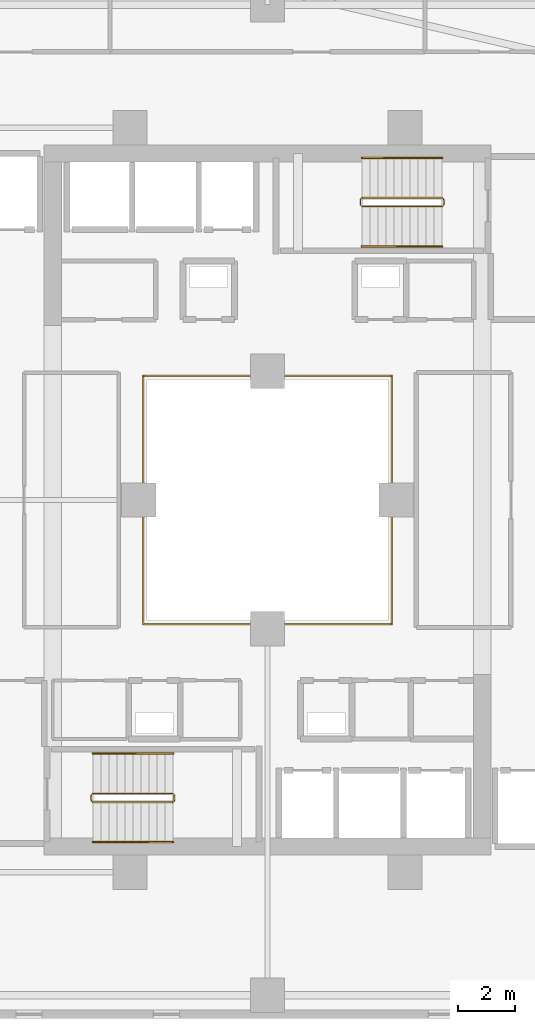
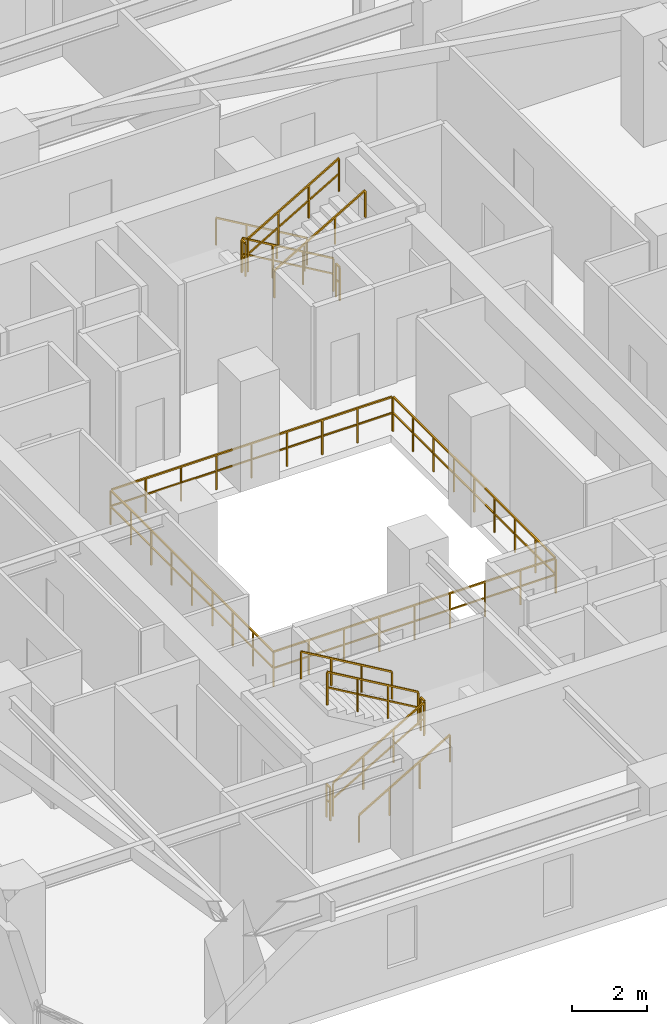
# One storey, part 28 of 31: 13 railings.
"""IFC4 building model written with IfcOpenShell, lengths in metres."""

from ifc_helpers import new_model, si_unit, direction, frame, origin, origin_2d, place, context, subcontext, project, spatial, rectangle, extrude, material, type_object, element, save


model = new_model("IFC4")

# Units and contexts
model_context = context("Model", 3, precision=1e-05, world=origin(), true_north=direction((0.0, 1.0)))
body_context = subcontext(model_context, "Body", "Model", "MODEL_VIEW")
ifc_project = project(units=[si_unit("LENGTHUNIT", "METRE"), si_unit("AREAUNIT", "SQUARE_METRE"), si_unit("VOLUMEUNIT", "CUBIC_METRE"), si_unit("PLANEANGLEUNIT", "RADIAN"), si_unit("MASSUNIT", "GRAM", prefix="KILO")], contexts=[model_context])

# Site, building, storey
site_placement = place(None, origin())
site = spatial("IfcSite", under=ifc_project, at=site_placement, CompositionType="ELEMENT")
building_placement = place(site_placement, origin())
building = spatial("IfcBuilding", under=site, at=building_placement, Name="Thornwick Lancets Civic Towers", CompositionType="ELEMENT")
storey_placement = place(building_placement, frame((0.0, 0.0, 87.300048828125)))
storey = spatial("IfcBuildingStorey", under=building, at=storey_placement, Name="L22", CompositionType="ELEMENT", Elevation=87.300048828125)

# Railings
ifc_material_1 = material(Name="Laminated glass and bronze steel S355", Category="steel")
railing_type_1 = type_object("IfcRailingType", Name="RAIL_ATRIUM_GUARD", PredefinedType="BALUSTRADE", material=ifc_material_1)
railing_1_placement = place(storey_placement, frame((21.159912109375, 22.659912109375, 0.0)))
element("IfcRailing", 1, at=railing_1_placement, inside=storey, type_object=railing_type_1, Name="L22 Tower A Central Atrium Guard Balustrade", PredefinedType="BALUSTRADE", context=body_context, shape_type="SweptSolid", body=[
    extrude(rectangle(XDim=0.048095703125, YDim=0.048095703125, at=origin_2d()), frame((0.0, 0.0, 1.1259765625), z_axis=(1.0, 0.0, 0.0), x_axis=(0.0, 1.0, 0.0)), (0.0, 0.0, 1.0), 8.64892578125),
    extrude(rectangle(XDim=0.0419921875, YDim=0.0419921875, at=origin_2d()), frame((0.03759765625, 0.0, 0.597900390625), z_axis=(1.0, 0.0, 0.0), x_axis=(0.0, 1.0, 0.0)), (0.0, 0.0, 1.0), 1.010009765625),
    extrude(rectangle(XDim=0.0419921875, YDim=0.0419921875, at=origin_2d()), frame((1.12255859375, 0.0, 0.597900390625), z_axis=(1.0, 0.0, 0.0), x_axis=(0.0, 1.0, 0.0)), (0.0, 0.0, 1.0), 1.010009765625),
    extrude(rectangle(XDim=0.0419921875, YDim=0.0419921875, at=origin_2d()), frame((2.20751953125, 0.0, 0.597900390625), z_axis=(1.0, 0.0, 0.0), x_axis=(0.0, 1.0, 0.0)), (0.0, 0.0, 1.0), 1.010009765625),
    extrude(rectangle(XDim=0.0419921875, YDim=0.0419921875, at=origin_2d()), frame((3.29248046875, 0.0, 0.597900390625), z_axis=(1.0, 0.0, 0.0), x_axis=(0.0, 1.0, 0.0)), (0.0, 0.0, 1.0), 1.010009765625),
    extrude(rectangle(XDim=0.0419921875, YDim=0.0419921875, at=origin_2d()), frame((4.377685546875, 0.0, 0.597900390625), z_axis=(1.0, 0.0, 0.0), x_axis=(0.0, 1.0, 0.0)), (0.0, 0.0, 1.0), 1.010009765625),
    extrude(rectangle(XDim=0.0419921875, YDim=0.0419921875, at=origin_2d()), frame((5.462646484375, 0.0, 0.597900390625), z_axis=(1.0, 0.0, 0.0), x_axis=(0.0, 1.0, 0.0)), (0.0, 0.0, 1.0), 1.010009765625),
    extrude(rectangle(XDim=0.0419921875, YDim=0.0419921875, at=origin_2d()), frame((6.547607421875, 0.0, 0.597900390625), z_axis=(1.0, 0.0, 0.0), x_axis=(0.0, 1.0, 0.0)), (0.0, 0.0, 1.0), 1.010009765625),
    extrude(rectangle(XDim=0.0419921875, YDim=0.0419921875, at=origin_2d()), frame((7.632568359375, 0.0, 0.597900390625), z_axis=(1.0, 0.0, 0.0), x_axis=(0.0, 1.0, 0.0)), (0.0, 0.0, 1.0), 1.010009765625),
    extrude(rectangle(XDim=0.048095703125, YDim=0.048095703125, at=origin_2d()), frame((8.68017578125, 0.03125, 1.1259765625), z_axis=(0.0, 1.0, 0.0), x_axis=(-1.0, 0.0, 0.0)), (0.0, 0.0, 1.0), 8.61767578125),
    extrude(rectangle(XDim=0.0419921875, YDim=0.0419921875, at=origin_2d()), frame((8.68017578125, 0.03759765625, 0.597900390625), z_axis=(0.0, 1.0, 0.0), x_axis=(-1.0, 0.0, 0.0)), (0.0, 0.0, 1.0), 1.010009765625),
    extrude(rectangle(XDim=0.0419921875, YDim=0.0419921875, at=origin_2d()), frame((8.68017578125, 1.12255859375, 0.597900390625), z_axis=(0.0, 1.0, 0.0), x_axis=(-1.0, 0.0, 0.0)), (0.0, 0.0, 1.0), 1.010009765625),
    extrude(rectangle(XDim=0.0419921875, YDim=0.0419921875, at=origin_2d()), frame((8.68017578125, 2.20751953125, 0.597900390625), z_axis=(0.0, 1.0, 0.0), x_axis=(-1.0, 0.0, 0.0)), (0.0, 0.0, 1.0), 1.010009765625),
    extrude(rectangle(XDim=0.0419921875, YDim=0.0419921875, at=origin_2d()), frame((8.68017578125, 3.29248046875, 0.597900390625), z_axis=(0.0, 1.0, 0.0), x_axis=(-1.0, 0.0, 0.0)), (0.0, 0.0, 1.0), 1.010009765625),
    extrude(rectangle(XDim=0.0419921875, YDim=0.0419921875, at=origin_2d()), frame((8.68017578125, 4.377685546875, 0.597900390625), z_axis=(0.0, 1.0, 0.0), x_axis=(-1.0, 0.0, 0.0)), (0.0, 0.0, 1.0), 1.010009765625),
    extrude(rectangle(XDim=0.0419921875, YDim=0.0419921875, at=origin_2d()), frame((8.68017578125, 5.462646484375, 0.597900390625), z_axis=(0.0, 1.0, 0.0), x_axis=(-1.0, 0.0, 0.0)), (0.0, 0.0, 1.0), 1.010009765625),
    extrude(rectangle(XDim=0.0419921875, YDim=0.0419921875, at=origin_2d()), frame((8.68017578125, 6.547607421875, 0.597900390625), z_axis=(0.0, 1.0, 0.0), x_axis=(-1.0, 0.0, 0.0)), (0.0, 0.0, 1.0), 1.010009765625),
    extrude(rectangle(XDim=0.0419921875, YDim=0.0419921875, at=origin_2d()), frame((8.68017578125, 7.632568359375, 0.597900390625), z_axis=(0.0, 1.0, 0.0), x_axis=(-1.0, 0.0, 0.0)), (0.0, 0.0, 1.0), 1.010009765625),
    extrude(rectangle(XDim=0.048095703125, YDim=0.048095703125, at=origin_2d()), frame((8.64892578125, 8.68017578125, 1.1259765625), z_axis=(-1.0, 0.0, 0.0), x_axis=(0.0, -1.0, 0.0)), (0.0, 0.0, 1.0), 8.61767578125),
    extrude(rectangle(XDim=0.0419921875, YDim=0.0419921875, at=origin_2d()), frame((8.642578125, 8.68017578125, 0.597900390625), z_axis=(-1.0, 0.0, 0.0), x_axis=(0.0, -1.0, 0.0)), (0.0, 0.0, 1.0), 1.010009765625),
    extrude(rectangle(XDim=0.0419921875, YDim=0.0419921875, at=origin_2d()), frame((7.5576171875, 8.68017578125, 0.597900390625), z_axis=(-1.0, 0.0, 0.0), x_axis=(0.0, -1.0, 0.0)), (0.0, 0.0, 1.0), 1.010009765625),
    extrude(rectangle(XDim=0.0419921875, YDim=0.0419921875, at=origin_2d()), frame((6.47265625, 8.68017578125, 0.597900390625), z_axis=(-1.0, 0.0, 0.0), x_axis=(0.0, -1.0, 0.0)), (0.0, 0.0, 1.0), 1.010009765625),
    extrude(rectangle(XDim=0.0419921875, YDim=0.0419921875, at=origin_2d()), frame((5.3876953125, 8.68017578125, 0.597900390625), z_axis=(-1.0, 0.0, 0.0), x_axis=(0.0, -1.0, 0.0)), (0.0, 0.0, 1.0), 1.010009765625),
    extrude(rectangle(XDim=0.0419921875, YDim=0.0419921875, at=origin_2d()), frame((4.302490234375, 8.68017578125, 0.597900390625), z_axis=(-1.0, 0.0, 0.0), x_axis=(0.0, -1.0, 0.0)), (0.0, 0.0, 1.0), 1.010009765625),
    extrude(rectangle(XDim=0.0419921875, YDim=0.0419921875, at=origin_2d()), frame((3.217529296875, 8.68017578125, 0.597900390625), z_axis=(-1.0, 0.0, 0.0), x_axis=(0.0, -1.0, 0.0)), (0.0, 0.0, 1.0), 1.010009765625),
    extrude(rectangle(XDim=0.0419921875, YDim=0.0419921875, at=origin_2d()), frame((2.132568359375, 8.68017578125, 0.597900390625), z_axis=(-1.0, 0.0, 0.0), x_axis=(0.0, -1.0, 0.0)), (0.0, 0.0, 1.0), 1.010009765625),
    extrude(rectangle(XDim=0.0419921875, YDim=0.0419921875, at=origin_2d()), frame((1.047607421875, 8.68017578125, 0.597900390625), z_axis=(-1.0, 0.0, 0.0), x_axis=(0.0, -1.0, 0.0)), (0.0, 0.0, 1.0), 1.010009765625),
    extrude(rectangle(XDim=0.048095703125, YDim=0.048095703125, at=origin_2d()), frame((0.0, 8.64892578125, 1.1259765625), z_axis=(0.0, -1.0, 0.0), x_axis=(1.0, 0.0, 0.0)), (0.0, 0.0, 1.0), 8.64892578125),
    extrude(rectangle(XDim=0.0419921875, YDim=0.0419921875, at=origin_2d()), frame((0.0, 8.642578125, 0.597900390625), z_axis=(0.0, -1.0, 0.0), x_axis=(1.0, 0.0, 0.0)), (0.0, 0.0, 1.0), 1.010009765625),
    extrude(rectangle(XDim=0.0419921875, YDim=0.0419921875, at=origin_2d()), frame((0.0, 7.5576171875, 0.597900390625), z_axis=(0.0, -1.0, 0.0), x_axis=(1.0, 0.0, 0.0)), (0.0, 0.0, 1.0), 1.010009765625),
    extrude(rectangle(XDim=0.0419921875, YDim=0.0419921875, at=origin_2d()), frame((0.0, 6.47265625, 0.597900390625), z_axis=(0.0, -1.0, 0.0), x_axis=(1.0, 0.0, 0.0)), (0.0, 0.0, 1.0), 1.010009765625),
    extrude(rectangle(XDim=0.0419921875, YDim=0.0419921875, at=origin_2d()), frame((0.0, 5.3876953125, 0.597900390625), z_axis=(0.0, -1.0, 0.0), x_axis=(1.0, 0.0, 0.0)), (0.0, 0.0, 1.0), 1.010009765625),
    extrude(rectangle(XDim=0.0419921875, YDim=0.0419921875, at=origin_2d()), frame((0.0, 4.302490234375, 0.597900390625), z_axis=(0.0, -1.0, 0.0), x_axis=(1.0, 0.0, 0.0)), (0.0, 0.0, 1.0), 1.010009765625),
    extrude(rectangle(XDim=0.0419921875, YDim=0.0419921875, at=origin_2d()), frame((0.0, 3.217529296875, 0.597900390625), z_axis=(0.0, -1.0, 0.0), x_axis=(1.0, 0.0, 0.0)), (0.0, 0.0, 1.0), 1.010009765625),
    extrude(rectangle(XDim=0.0419921875, YDim=0.0419921875, at=origin_2d()), frame((0.0, 2.132568359375, 0.597900390625), z_axis=(0.0, -1.0, 0.0), x_axis=(1.0, 0.0, 0.0)), (0.0, 0.0, 1.0), 1.010009765625),
    extrude(rectangle(XDim=0.0419921875, YDim=0.0419921875, at=origin_2d()), frame((0.0, 1.047607421875, 0.597900390625), z_axis=(0.0, -1.0, 0.0), x_axis=(1.0, 0.0, 0.0)), (0.0, 0.0, 1.0), 1.010009765625),
    extrude(rectangle(XDim=0.0419921875, YDim=0.0419921875, at=origin_2d()), origin(), (0.0, 0.0, 1.0), 1.095703125),
    extrude(rectangle(XDim=0.0419921875, YDim=0.0419921875, at=origin_2d()), frame((1.0849609375, 0.0, 0.0)), (0.0, 0.0, 1.0), 1.095703125),
    extrude(rectangle(XDim=0.0419921875, YDim=0.0419921875, at=origin_2d()), frame((2.169921875, 0.0, 0.0)), (0.0, 0.0, 1.0), 1.095703125),
    extrude(rectangle(XDim=0.0419921875, YDim=0.0419921875, at=origin_2d()), frame((3.255126953125, 0.0, 0.0)), (0.0, 0.0, 1.0), 1.095703125),
    extrude(rectangle(XDim=0.0419921875, YDim=0.0419921875, at=origin_2d()), frame((4.340087890625, 0.0, 0.0)), (0.0, 0.0, 1.0), 1.095703125),
    extrude(rectangle(XDim=0.0419921875, YDim=0.0419921875, at=origin_2d()), frame((5.425048828125, 0.0, 0.0)), (0.0, 0.0, 1.0), 1.095703125),
    extrude(rectangle(XDim=0.0419921875, YDim=0.0419921875, at=origin_2d()), frame((6.51025390625, 0.0, 0.0)), (0.0, 0.0, 1.0), 1.095703125),
    extrude(rectangle(XDim=0.0419921875, YDim=0.0419921875, at=origin_2d()), frame((7.59521484375, 0.0, 0.0)), (0.0, 0.0, 1.0), 1.095703125),
    extrude(rectangle(XDim=0.0419921875, YDim=0.0419921875, at=origin_2d()), frame((8.68017578125, 0.0, 0.0)), (0.0, 0.0, 1.0), 1.095703125),
    extrude(rectangle(XDim=0.0419921875, YDim=0.0419921875, at=origin_2d()), frame((8.68017578125, 1.0849609375, 0.0)), (0.0, 0.0, 1.0), 1.095703125),
    extrude(rectangle(XDim=0.0419921875, YDim=0.0419921875, at=origin_2d()), frame((8.68017578125, 2.169921875, 0.0)), (0.0, 0.0, 1.0), 1.095703125),
    extrude(rectangle(XDim=0.0419921875, YDim=0.0419921875, at=origin_2d()), frame((8.68017578125, 3.255126953125, 0.0)), (0.0, 0.0, 1.0), 1.095703125),
    extrude(rectangle(XDim=0.0419921875, YDim=0.0419921875, at=origin_2d()), frame((8.68017578125, 4.340087890625, 0.0)), (0.0, 0.0, 1.0), 1.095703125),
    extrude(rectangle(XDim=0.0419921875, YDim=0.0419921875, at=origin_2d()), frame((8.68017578125, 5.425048828125, 0.0)), (0.0, 0.0, 1.0), 1.095703125),
    extrude(rectangle(XDim=0.0419921875, YDim=0.0419921875, at=origin_2d()), frame((8.68017578125, 6.51025390625, 0.0)), (0.0, 0.0, 1.0), 1.095703125),
    extrude(rectangle(XDim=0.0419921875, YDim=0.0419921875, at=origin_2d()), frame((8.68017578125, 7.59521484375, 0.0)), (0.0, 0.0, 1.0), 1.095703125),
    extrude(rectangle(XDim=0.0419921875, YDim=0.0419921875, at=origin_2d()), frame((8.68017578125, 8.68017578125, 0.0)), (0.0, 0.0, 1.0), 1.095703125),
    extrude(rectangle(XDim=0.0419921875, YDim=0.0419921875, at=origin_2d()), frame((7.59521484375, 8.68017578125, 0.0)), (0.0, 0.0, 1.0), 1.095703125),
    extrude(rectangle(XDim=0.0419921875, YDim=0.0419921875, at=origin_2d()), frame((6.51025390625, 8.68017578125, 0.0)), (0.0, 0.0, 1.0), 1.095703125),
    extrude(rectangle(XDim=0.0419921875, YDim=0.0419921875, at=origin_2d()), frame((5.425048828125, 8.68017578125, 0.0)), (0.0, 0.0, 1.0), 1.095703125),
    extrude(rectangle(XDim=0.0419921875, YDim=0.0419921875, at=origin_2d()), frame((4.340087890625, 8.68017578125, 0.0)), (0.0, 0.0, 1.0), 1.095703125),
    extrude(rectangle(XDim=0.0419921875, YDim=0.0419921875, at=origin_2d()), frame((3.255126953125, 8.68017578125, 0.0)), (0.0, 0.0, 1.0), 1.095703125),
    extrude(rectangle(XDim=0.0419921875, YDim=0.0419921875, at=origin_2d()), frame((2.169921875, 8.68017578125, 0.0)), (0.0, 0.0, 1.0), 1.095703125),
    extrude(rectangle(XDim=0.0419921875, YDim=0.0419921875, at=origin_2d()), frame((1.0849609375, 8.68017578125, 0.0)), (0.0, 0.0, 1.0), 1.095703125),
    extrude(rectangle(XDim=0.0419921875, YDim=0.0419921875, at=origin_2d()), frame((0.0, 8.68017578125, 0.0)), (0.0, 0.0, 1.0), 1.095703125),
    extrude(rectangle(XDim=0.0419921875, YDim=0.0419921875, at=origin_2d()), frame((0.0, 7.59521484375, 0.0)), (0.0, 0.0, 1.0), 1.095703125),
    extrude(rectangle(XDim=0.0419921875, YDim=0.0419921875, at=origin_2d()), frame((0.0, 6.51025390625, 0.0)), (0.0, 0.0, 1.0), 1.095703125),
    extrude(rectangle(XDim=0.0419921875, YDim=0.0419921875, at=origin_2d()), frame((0.0, 5.425048828125, 0.0)), (0.0, 0.0, 1.0), 1.095703125),
    extrude(rectangle(XDim=0.0419921875, YDim=0.0419921875, at=origin_2d()), frame((0.0, 4.340087890625, 0.0)), (0.0, 0.0, 1.0), 1.095703125),
    extrude(rectangle(XDim=0.0419921875, YDim=0.0419921875, at=origin_2d()), frame((0.0, 3.255126953125, 0.0)), (0.0, 0.0, 1.0), 1.095703125),
    extrude(rectangle(XDim=0.0419921875, YDim=0.0419921875, at=origin_2d()), frame((0.0, 2.169921875, 0.0)), (0.0, 0.0, 1.0), 1.095703125),
    extrude(rectangle(XDim=0.0419921875, YDim=0.0419921875, at=origin_2d()), frame((0.0, 1.0849609375, 0.0)), (0.0, 0.0, 1.0), 1.095703125),
])
ifc_material_2 = material(Name="Brushed stainless steel S355", Category="steel")
railing_type_2 = type_object("IfcRailingType", Name="RAIL_HANDRAIL", PredefinedType="HANDRAIL", material=ifc_material_2)
railing_2_placement = place(storey_placement, frame((19.39990234375, 15.050048828125, 0.16357421875)))
element("IfcRailing", 2, at=railing_2_placement, inside=storey, type_object=railing_type_2, Name="L22 ST-A1 stair handrail 1", PredefinedType="HANDRAIL", context=body_context, shape_type="SweptSolid", body=[
    extrude(rectangle(XDim=0.048095703125, YDim=0.048095703125, at=origin_2d()), frame((0.0, 0.0, 0.8857421875), z_axis=(0.863360870873, 0.0, 0.504586966384), x_axis=(0.0, 1.0, 0.0)), (0.0, 0.0, 1.0), 3.2431640625),
    extrude(rectangle(XDim=0.0419921875, YDim=0.0419921875, at=origin_2d()), origin(), (0.0, 0.0, 1.0), 0.855712890625),
    extrude(rectangle(XDim=0.0419921875, YDim=0.0419921875, at=origin_2d()), frame((0.933349609375, 0.0, 0.54541015625)), (0.0, 0.0, 1.0), 0.855712890625),
    extrude(rectangle(XDim=0.0419921875, YDim=0.0419921875, at=origin_2d()), frame((1.86669921875, 0.0, 1.091064453125)), (0.0, 0.0, 1.0), 0.855712890625),
    extrude(rectangle(XDim=0.0419921875, YDim=0.0419921875, at=origin_2d()), frame((2.800048828125, 0.0, 1.636474609375)), (0.0, 0.0, 1.0), 0.855712890625),
])
railing_3_placement = place(storey_placement, frame((22.199951171875, 18.14990234375, 1.963623046875)))
element("IfcRailing", 3, at=railing_3_placement, inside=storey, type_object=railing_type_2, Name="L22 ST-A1 stair handrail 2", PredefinedType="HANDRAIL", context=body_context, shape_type="SweptSolid", body=[
    extrude(rectangle(XDim=0.048095703125, YDim=0.048095703125, at=origin_2d()), frame((0.0, 0.0, 0.8857421875), z_axis=(-0.863393664356, 0.0, 0.504530851732), x_axis=(0.0, -1.0, 0.0)), (0.0, 0.0, 1.0), 3.2431640625),
    extrude(rectangle(XDim=0.0419921875, YDim=0.0419921875, at=origin_2d()), origin(), (0.0, 0.0, 1.0), 0.855712890625),
    extrude(rectangle(XDim=0.0419921875, YDim=0.0419921875, at=origin_2d()), frame((-0.933349609375, 0.0, 0.54541015625)), (0.0, 0.0, 1.0), 0.855712890625),
    extrude(rectangle(XDim=0.0419921875, YDim=0.0419921875, at=origin_2d()), frame((-1.86669921875, 0.0, 1.0908203125)), (0.0, 0.0, 1.0), 0.855712890625),
    extrude(rectangle(XDim=0.0419921875, YDim=0.0419921875, at=origin_2d()), frame((-2.800048828125, 0.0, 1.63623046875)), (0.0, 0.0, 1.0), 0.855712890625),
])
railing_4_placement = place(storey_placement, frame((31.60009765625, 38.949951171875, 0.16357421875)))
element("IfcRailing", 4, at=railing_4_placement, inside=storey, type_object=railing_type_2, Name="L22 ST-A2 stair handrail 1", PredefinedType="HANDRAIL", context=body_context, shape_type="SweptSolid", body=[
    extrude(rectangle(XDim=0.048095703125, YDim=0.048095703125, at=origin_2d()), frame((0.0, 0.0, 0.8857421875), z_axis=(-0.863360870873, 0.0, 0.504586966384), x_axis=(0.0, -1.0, 0.0)), (0.0, 0.0, 1.0), 3.2431640625),
    extrude(rectangle(XDim=0.0419921875, YDim=0.0419921875, at=origin_2d()), origin(), (0.0, 0.0, 1.0), 0.855712890625),
    extrude(rectangle(XDim=0.0419921875, YDim=0.0419921875, at=origin_2d()), frame((-0.933349609375, 0.0, 0.54541015625)), (0.0, 0.0, 1.0), 0.855712890625),
    extrude(rectangle(XDim=0.0419921875, YDim=0.0419921875, at=origin_2d()), frame((-1.86669921875, 0.0, 1.091064453125)), (0.0, 0.0, 1.0), 0.855712890625),
    extrude(rectangle(XDim=0.0419921875, YDim=0.0419921875, at=origin_2d()), frame((-2.800048828125, 0.0, 1.636474609375)), (0.0, 0.0, 1.0), 0.855712890625),
])
railing_5_placement = place(storey_placement, frame((28.800048828125, 35.85009765625, 1.963623046875)))
element("IfcRailing", 5, at=railing_5_placement, inside=storey, type_object=railing_type_2, Name="L22 ST-A2 stair handrail 2", PredefinedType="HANDRAIL", context=body_context, shape_type="SweptSolid", body=[
    extrude(rectangle(XDim=0.048095703125, YDim=0.048095703125, at=origin_2d()), frame((0.0, 0.0, 0.8857421875), z_axis=(0.863393664356, 0.0, 0.504530851732), x_axis=(0.0, 1.0, 0.0)), (0.0, 0.0, 1.0), 3.2431640625),
    extrude(rectangle(XDim=0.0419921875, YDim=0.0419921875, at=origin_2d()), origin(), (0.0, 0.0, 1.0), 0.855712890625),
    extrude(rectangle(XDim=0.0419921875, YDim=0.0419921875, at=origin_2d()), frame((0.933349609375, 0.0, 0.54541015625)), (0.0, 0.0, 1.0), 0.855712890625),
    extrude(rectangle(XDim=0.0419921875, YDim=0.0419921875, at=origin_2d()), frame((1.86669921875, 0.0, 1.0908203125)), (0.0, 0.0, 1.0), 0.855712890625),
    extrude(rectangle(XDim=0.0419921875, YDim=0.0419921875, at=origin_2d()), frame((2.800048828125, 0.0, 1.63623046875)), (0.0, 0.0, 1.0), 0.855712890625),
])
ifc_material_3 = material(Name="Steel S355JR", Category="steel")
railing_type_3 = type_object("IfcRailingType", Name="RAIL_STAIR_GUARD", PredefinedType="GUARDRAIL", material=ifc_material_3)
railing_6_placement = place(storey_placement, frame((19.39990234375, 16.449951171875, 0.16357421875)))
element("IfcRailing", 6, at=railing_6_placement, inside=storey, type_object=railing_type_3, Name="L22 ST-A1 stair guard 1", PredefinedType="GUARDRAIL", context=body_context, shape_type="SweptSolid", body=[
    extrude(rectangle(XDim=0.048095703125, YDim=0.048095703125, at=origin_2d()), frame((0.0, 0.0, 1.076171875), z_axis=(0.863360870873, 0.0, 0.504586966384), x_axis=(0.0, 1.0, 0.0)), (0.0, 0.0, 1.0), 3.2431640625),
    extrude(rectangle(XDim=0.0419921875, YDim=0.0419921875, at=origin_2d()), frame((0.032470703125, 0.0, 0.591064453125), z_axis=(0.863360870873, 0.0, 0.504586966384), x_axis=(0.0, 1.0, 0.0)), (0.0, 0.0, 1.0), 1.006103515625),
    extrude(rectangle(XDim=0.0419921875, YDim=0.0419921875, at=origin_2d()), frame((0.9658203125, 0.0, 1.136474609375), z_axis=(0.863360870873, 0.0, 0.504586966384), x_axis=(0.0, 1.0, 0.0)), (0.0, 0.0, 1.0), 1.006103515625),
    extrude(rectangle(XDim=0.0419921875, YDim=0.0419921875, at=origin_2d()), frame((1.899169921875, 0.0, 1.681884765625), z_axis=(0.863360870873, 0.0, 0.504586966384), x_axis=(0.0, 1.0, 0.0)), (0.0, 0.0, 1.0), 1.006103515625),
    extrude(rectangle(XDim=0.0419921875, YDim=0.0419921875, at=origin_2d()), origin(), (0.0, 0.0, 1.0), 1.0458984375),
    extrude(rectangle(XDim=0.0419921875, YDim=0.0419921875, at=origin_2d()), frame((0.933349609375, 0.0, 0.54541015625)), (0.0, 0.0, 1.0), 1.0458984375),
    extrude(rectangle(XDim=0.0419921875, YDim=0.0419921875, at=origin_2d()), frame((1.86669921875, 0.0, 1.091064453125)), (0.0, 0.0, 1.0), 1.0458984375),
    extrude(rectangle(XDim=0.0419921875, YDim=0.0419921875, at=origin_2d()), frame((2.800048828125, 0.0, 1.636474609375)), (0.0, 0.0, 1.0), 1.0458984375),
])
railing_7_placement = place(storey_placement, frame((22.25, 16.5, 1.800048828125)))
element("IfcRailing", 7, at=railing_7_placement, inside=storey, type_object=railing_type_3, Name="L22 ST-A1 stair guard 2", PredefinedType="GUARDRAIL", context=body_context, shape_type="SweptSolid", body=[
    extrude(rectangle(XDim=0.048095703125, YDim=0.048095703125, at=origin_2d()), frame((0.0, 0.0, 1.076171875), z_axis=(0.0, 1.0, 0.0), x_axis=(-1.0, 0.0, 0.0)), (0.0, 0.0, 1.0), 0.199951171875),
    extrude(rectangle(XDim=0.0419921875, YDim=0.0419921875, at=origin_2d()), frame((0.0, 0.03759765625, 0.572021484375), z_axis=(0.0, 1.0, 0.0), x_axis=(-1.0, 0.0, 0.0)), (0.0, 0.0, 1.0), 0.125),
    extrude(rectangle(XDim=0.0419921875, YDim=0.0419921875, at=origin_2d()), origin(), (0.0, 0.0, 1.0), 1.0458984375),
    extrude(rectangle(XDim=0.0419921875, YDim=0.0419921875, at=origin_2d()), frame((0.0, 0.199951171875, 0.0)), (0.0, 0.0, 1.0), 1.0458984375),
])
railing_8_placement = place(storey_placement, frame((22.199951171875, 16.75, 1.963623046875)))
element("IfcRailing", 8, at=railing_8_placement, inside=storey, type_object=railing_type_3, Name="L22 ST-A1 stair guard 3", PredefinedType="GUARDRAIL", context=body_context, shape_type="SweptSolid", body=[
    extrude(rectangle(XDim=0.048095703125, YDim=0.048095703125, at=origin_2d()), frame((0.0, 0.0, 1.076171875), z_axis=(-0.863393664356, 0.0, 0.504530851732), x_axis=(0.0, -1.0, 0.0)), (0.0, 0.0, 1.0), 3.2431640625),
    extrude(rectangle(XDim=0.0419921875, YDim=0.0419921875, at=origin_2d()), frame((-0.032470703125, 0.0, 0.591064453125), z_axis=(-0.863393664356, 0.0, 0.504530851732), x_axis=(0.0, -1.0, 0.0)), (0.0, 0.0, 1.0), 1.006103515625),
    extrude(rectangle(XDim=0.0419921875, YDim=0.0419921875, at=origin_2d()), frame((-0.9658203125, 0.0, 1.136474609375), z_axis=(-0.863393664356, 0.0, 0.504530851732), x_axis=(0.0, -1.0, 0.0)), (0.0, 0.0, 1.0), 1.006103515625),
    extrude(rectangle(XDim=0.0419921875, YDim=0.0419921875, at=origin_2d()), frame((-1.899169921875, 0.0, 1.681884765625), z_axis=(-0.863393664356, 0.0, 0.504530851732), x_axis=(0.0, -1.0, 0.0)), (0.0, 0.0, 1.0), 1.006103515625),
    extrude(rectangle(XDim=0.0419921875, YDim=0.0419921875, at=origin_2d()), origin(), (0.0, 0.0, 1.0), 1.0458984375),
    extrude(rectangle(XDim=0.0419921875, YDim=0.0419921875, at=origin_2d()), frame((-0.933349609375, 0.0, 0.54541015625)), (0.0, 0.0, 1.0), 1.0458984375),
    extrude(rectangle(XDim=0.0419921875, YDim=0.0419921875, at=origin_2d()), frame((-1.86669921875, 0.0, 1.0908203125)), (0.0, 0.0, 1.0), 1.0458984375),
    extrude(rectangle(XDim=0.0419921875, YDim=0.0419921875, at=origin_2d()), frame((-2.800048828125, 0.0, 1.63623046875)), (0.0, 0.0, 1.0), 1.0458984375),
])
railing_9_placement = place(storey_placement, frame((19.35009765625, 16.5, 0.0)))
element("IfcRailing", 9, at=railing_9_placement, inside=storey, type_object=railing_type_3, Name="L22 ST-A1 stair guard 4", PredefinedType="GUARDRAIL", context=body_context, shape_type="SweptSolid", body=[
    extrude(rectangle(XDim=0.048095703125, YDim=0.048095703125, at=origin_2d()), frame((0.0, 0.0, 1.076171875), z_axis=(0.0, 1.0, 0.0), x_axis=(-1.0, 0.0, 0.0)), (0.0, 0.0, 1.0), 0.199951171875),
    extrude(rectangle(XDim=0.0419921875, YDim=0.0419921875, at=origin_2d()), frame((0.0, 0.03759765625, 0.572021484375), z_axis=(0.0, 1.0, 0.0), x_axis=(-1.0, 0.0, 0.0)), (0.0, 0.0, 1.0), 0.125),
    extrude(rectangle(XDim=0.0419921875, YDim=0.0419921875, at=origin_2d()), origin(), (0.0, 0.0, 1.0), 1.0458984375),
    extrude(rectangle(XDim=0.0419921875, YDim=0.0419921875, at=origin_2d()), frame((0.0, 0.199951171875, 0.0)), (0.0, 0.0, 1.0), 1.0458984375),
])
railing_10_placement = place(storey_placement, frame((31.60009765625, 37.550048828125, 0.16357421875)))
element("IfcRailing", 10, at=railing_10_placement, inside=storey, type_object=railing_type_3, Name="L22 ST-A2 stair guard 1", PredefinedType="GUARDRAIL", context=body_context, shape_type="SweptSolid", body=[
    extrude(rectangle(XDim=0.048095703125, YDim=0.048095703125, at=origin_2d()), frame((0.0, 0.0, 1.076171875), z_axis=(-0.863360870873, 0.0, 0.504586966384), x_axis=(0.0, -1.0, 0.0)), (0.0, 0.0, 1.0), 3.2431640625),
    extrude(rectangle(XDim=0.0419921875, YDim=0.0419921875, at=origin_2d()), frame((-0.032470703125, 0.0, 0.591064453125), z_axis=(-0.863360870873, 0.0, 0.504586966384), x_axis=(0.0, -1.0, 0.0)), (0.0, 0.0, 1.0), 1.006103515625),
    extrude(rectangle(XDim=0.0419921875, YDim=0.0419921875, at=origin_2d()), frame((-0.9658203125, 0.0, 1.136474609375), z_axis=(-0.863360870873, 0.0, 0.504586966384), x_axis=(0.0, -1.0, 0.0)), (0.0, 0.0, 1.0), 1.006103515625),
    extrude(rectangle(XDim=0.0419921875, YDim=0.0419921875, at=origin_2d()), frame((-1.899169921875, 0.0, 1.681884765625), z_axis=(-0.863360870873, 0.0, 0.504586966384), x_axis=(0.0, -1.0, 0.0)), (0.0, 0.0, 1.0), 1.006103515625),
    extrude(rectangle(XDim=0.0419921875, YDim=0.0419921875, at=origin_2d()), origin(), (0.0, 0.0, 1.0), 1.0458984375),
    extrude(rectangle(XDim=0.0419921875, YDim=0.0419921875, at=origin_2d()), frame((-0.933349609375, 0.0, 0.54541015625)), (0.0, 0.0, 1.0), 1.0458984375),
    extrude(rectangle(XDim=0.0419921875, YDim=0.0419921875, at=origin_2d()), frame((-1.86669921875, 0.0, 1.091064453125)), (0.0, 0.0, 1.0), 1.0458984375),
    extrude(rectangle(XDim=0.0419921875, YDim=0.0419921875, at=origin_2d()), frame((-2.800048828125, 0.0, 1.636474609375)), (0.0, 0.0, 1.0), 1.0458984375),
])
railing_11_placement = place(storey_placement, frame((28.75, 37.5, 1.800048828125)))
element("IfcRailing", 11, at=railing_11_placement, inside=storey, type_object=railing_type_3, Name="L22 ST-A2 stair guard 2", PredefinedType="GUARDRAIL", context=body_context, shape_type="SweptSolid", body=[
    extrude(rectangle(XDim=0.048095703125, YDim=0.048095703125, at=origin_2d()), frame((0.0, 0.0, 1.076171875), z_axis=(0.0, -1.0, 0.0), x_axis=(1.0, 0.0, 0.0)), (0.0, 0.0, 1.0), 0.199951171875),
    extrude(rectangle(XDim=0.0419921875, YDim=0.0419921875, at=origin_2d()), frame((0.0, -0.03759765625, 0.572021484375), z_axis=(0.0, -1.0, 0.0), x_axis=(1.0, 0.0, 0.0)), (0.0, 0.0, 1.0), 0.125),
    extrude(rectangle(XDim=0.0419921875, YDim=0.0419921875, at=origin_2d()), origin(), (0.0, 0.0, 1.0), 1.0458984375),
    extrude(rectangle(XDim=0.0419921875, YDim=0.0419921875, at=origin_2d()), frame((0.0, -0.199951171875, 0.0)), (0.0, 0.0, 1.0), 1.0458984375),
])
railing_12_placement = place(storey_placement, frame((28.800048828125, 37.25, 1.963623046875)))
element("IfcRailing", 12, at=railing_12_placement, inside=storey, type_object=railing_type_3, Name="L22 ST-A2 stair guard 3", PredefinedType="GUARDRAIL", context=body_context, shape_type="SweptSolid", body=[
    extrude(rectangle(XDim=0.048095703125, YDim=0.048095703125, at=origin_2d()), frame((0.0, 0.0, 1.076171875), z_axis=(0.863393664356, 0.0, 0.504530851732), x_axis=(0.0, 1.0, 0.0)), (0.0, 0.0, 1.0), 3.2431640625),
    extrude(rectangle(XDim=0.0419921875, YDim=0.0419921875, at=origin_2d()), frame((0.032470703125, 0.0, 0.591064453125), z_axis=(0.863393664356, 0.0, 0.504530851732), x_axis=(0.0, 1.0, 0.0)), (0.0, 0.0, 1.0), 1.006103515625),
    extrude(rectangle(XDim=0.0419921875, YDim=0.0419921875, at=origin_2d()), frame((0.9658203125, 0.0, 1.136474609375), z_axis=(0.863393664356, 0.0, 0.504530851732), x_axis=(0.0, 1.0, 0.0)), (0.0, 0.0, 1.0), 1.006103515625),
    extrude(rectangle(XDim=0.0419921875, YDim=0.0419921875, at=origin_2d()), frame((1.899169921875, 0.0, 1.681884765625), z_axis=(0.863393664356, 0.0, 0.504530851732), x_axis=(0.0, 1.0, 0.0)), (0.0, 0.0, 1.0), 1.006103515625),
    extrude(rectangle(XDim=0.0419921875, YDim=0.0419921875, at=origin_2d()), origin(), (0.0, 0.0, 1.0), 1.0458984375),
    extrude(rectangle(XDim=0.0419921875, YDim=0.0419921875, at=origin_2d()), frame((0.933349609375, 0.0, 0.54541015625)), (0.0, 0.0, 1.0), 1.0458984375),
    extrude(rectangle(XDim=0.0419921875, YDim=0.0419921875, at=origin_2d()), frame((1.86669921875, 0.0, 1.0908203125)), (0.0, 0.0, 1.0), 1.0458984375),
    extrude(rectangle(XDim=0.0419921875, YDim=0.0419921875, at=origin_2d()), frame((2.800048828125, 0.0, 1.63623046875)), (0.0, 0.0, 1.0), 1.0458984375),
])
railing_13_placement = place(storey_placement, frame((31.64990234375, 37.5, 0.0)))
element("IfcRailing", 13, at=railing_13_placement, inside=storey, type_object=railing_type_3, Name="L22 ST-A2 stair guard 4", PredefinedType="GUARDRAIL", context=body_context, shape_type="SweptSolid", body=[
    extrude(rectangle(XDim=0.048095703125, YDim=0.048095703125, at=origin_2d()), frame((0.0, 0.0, 1.076171875), z_axis=(0.0, -1.0, 0.0), x_axis=(1.0, 0.0, 0.0)), (0.0, 0.0, 1.0), 0.199951171875),
    extrude(rectangle(XDim=0.0419921875, YDim=0.0419921875, at=origin_2d()), frame((0.0, -0.03759765625, 0.572021484375), z_axis=(0.0, -1.0, 0.0), x_axis=(1.0, 0.0, 0.0)), (0.0, 0.0, 1.0), 0.125),
    extrude(rectangle(XDim=0.0419921875, YDim=0.0419921875, at=origin_2d()), origin(), (0.0, 0.0, 1.0), 1.0458984375),
    extrude(rectangle(XDim=0.0419921875, YDim=0.0419921875, at=origin_2d()), frame((0.0, -0.199951171875, 0.0)), (0.0, 0.0, 1.0), 1.0458984375),
])

save(model, "model.ifc")
